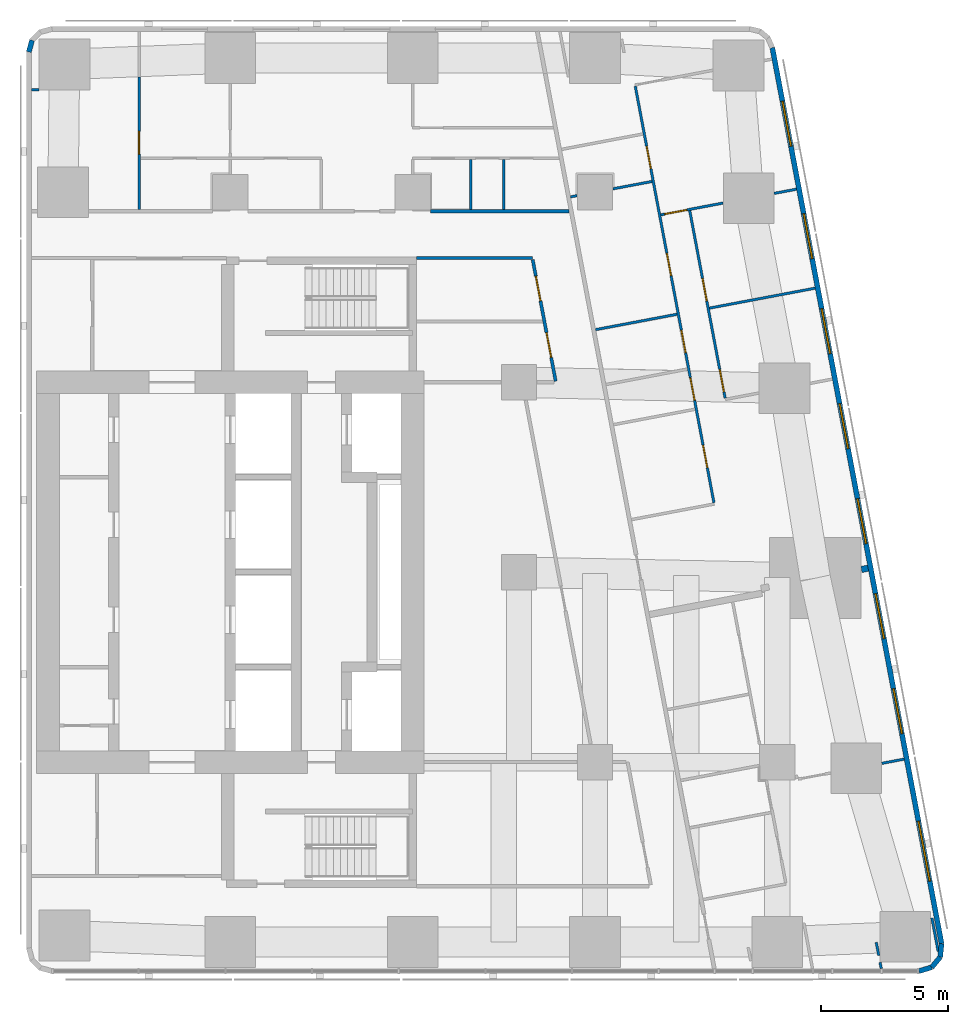
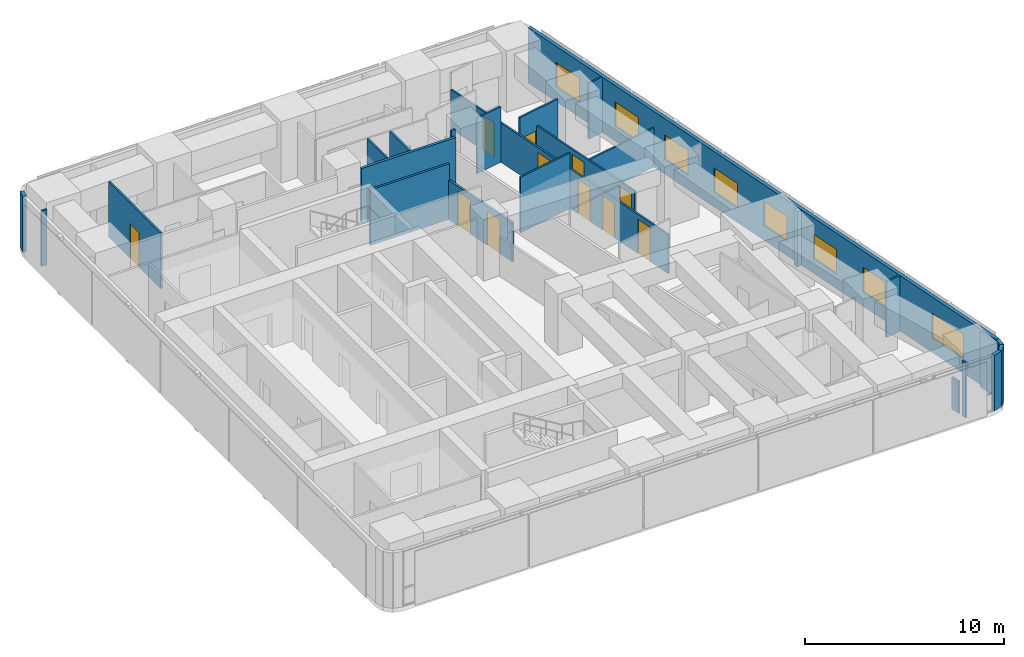
# One storey, part 7 of 10: 25 walls, 11 doors, 8 windows, 19 openings.
"""IFC4 building model written with IfcOpenShell, lengths in metres."""

from ifc_helpers import new_model, si_unit, direction, frame, frame_2d, origin, place, context, subcontext, project, spatial, rectangle, extrude, material, layer, layer_set, type_object, element, fill, save


model = new_model("IFC4")

# Units and contexts
model_context = context("Model", 3, precision=1e-05, world=origin(), true_north=direction((0.0, 1.0)))
body_context = subcontext(model_context, "Body", "Model", "MODEL_VIEW")
ifc_project = project(units=[si_unit("LENGTHUNIT", "METRE"), si_unit("AREAUNIT", "SQUARE_METRE"), si_unit("VOLUMEUNIT", "CUBIC_METRE"), si_unit("PLANEANGLEUNIT", "RADIAN"), si_unit("MASSUNIT", "GRAM", prefix="KILO")], contexts=[model_context])

# Site, building, storey
site_placement = place(None, origin())
site = spatial("IfcSite", under=ifc_project, at=site_placement, CompositionType="ELEMENT")
building_placement = place(site_placement, origin())
building = spatial("IfcBuilding", under=site, at=building_placement, Name="Sheger Commons Tower", CompositionType="ELEMENT")
storey_placement = place(building_placement, frame((0.0, 0.0, 292.85009765625)))
storey = spatial("IfcBuildingStorey", under=building, at=storey_placement, Name="L75", CompositionType="ELEMENT", Elevation=292.85009765625)

# Walls
ifc_material_1 = material(Name="Hollow concrete block masonry, skimmed both sides", Category="masonry")
ifc_layer_1 = layer(ifc_material_1, 0.14990234375)
ifc_layer_set_1 = layer_set([ifc_layer_1], Name="CORRIDOR WALL 150")
wall_type_1 = type_object("IfcWallType", Name="CORRIDOR WALL 150", PredefinedType="SOLIDWALL", material=ifc_layer_set_1)
wall_1_placement = place(storey_placement, frame((29.5009765625, 36.75, 0.0), z_axis=(0.0, 0.0, 1.0), x_axis=(1.0, 0.0, 0.0)))
element("IfcWall", 1, at=wall_1_placement, inside=storey, type_object=wall_type_1, Name="Corridor wall L75", PredefinedType="SOLIDWALL", context=body_context, shape_type="SweptSolid", body=[
    extrude(rectangle(XDim=5.470947265625, YDim=0.14990234375, at=frame_2d((2.7353515625, 0.0))), origin(), (0.0, 0.0, 1.0), 3.39990234375),
])
ifc_material_2 = material(Name="Dense concrete block masonry, plastered both sides (separating wall between flats)", Category="masonry")
ifc_layer_2 = layer(ifc_material_2, 0.25)
ifc_layer_set_2 = layer_set([ifc_layer_2], Name="DEMISING WALL 250")
wall_type_2 = type_object("IfcWallType", Name="DEMISING WALL 250", PredefinedType="SOLIDWALL", material=ifc_layer_set_2)
wall_2_placement = place(storey_placement, frame((46.781982421875, 22.656982421875, 0.0), z_axis=(0.0, 0.0, 1.0), x_axis=(-0.982104607121, -0.188336243648, 0.0)))
element("IfcWall", 2, at=wall_2_placement, inside=storey, type_object=wall_type_2, Name="Demising wall L75", PredefinedType="SOLIDWALL", context=body_context, shape_type="SweptSolid", body=[
    extrude(rectangle(XDim=0.265625, YDim=0.25, at=frame_2d((0.1328125, 0.0))), origin(), (0.0, 0.0, 1.0), 3.39990234375),
])
ifc_material_3 = material(Name="Rendered concrete block masonry, dark grey", Category="masonry")
ifc_layer_3 = layer(ifc_material_3, 0.199951171875)
ifc_layer_set_3 = layer_set([ifc_layer_3], Name="FACADE WALL 200")
wall_type_3 = type_object("IfcWallType", Name="FACADE WALL 200", PredefinedType="SOLIDWALL", material=ifc_layer_set_3)
wall_3_placement = place(storey_placement, frame((48.787109375, 6.75, 0.0), z_axis=(0.0, 0.0, 1.0), x_axis=(0.957282247819, 0.289155145225, 0.0)))
element("IfcWall", 3, at=wall_3_placement, inside=storey, type_object=wall_type_3, Name="Facade wall L75", PredefinedType="SOLIDWALL", context=body_context, shape_type="SweptSolid", body=[
    extrude(rectangle(XDim=0.53271484375, YDim=0.199951171875, at=frame_2d((0.266357421875, 0.0))), origin(), (0.0, 0.0, 1.0), 3.39990234375),
])
wall_4_placement = place(storey_placement, frame((49.297119140625, 6.904052734375, 0.0), z_axis=(0.0, 0.0, 1.0), x_axis=(0.639255849474, 0.768994121508, 0.0)))
element("IfcWall", 4, at=wall_4_placement, inside=storey, type_object=wall_type_3, Name="Facade wall L75", PredefinedType="SOLIDWALL", context=body_context, shape_type="SweptSolid", body=[
    extrude(rectangle(XDim=0.517578125, YDim=0.199951171875, at=frame_2d((0.2587890625, 0.0))), origin(), (0.0, 0.0, 1.0), 3.39990234375),
])
wall_5_placement = place(storey_placement, frame((49.6279296875, 7.302001953125, 0.0), z_axis=(0.0, 0.0, 1.0), x_axis=(0.105352390132, 0.994434952068, 0.0)))
element("IfcWall", 5, at=wall_5_placement, inside=storey, type_object=wall_type_3, Name="Facade wall L75", PredefinedType="SOLIDWALL", context=body_context, shape_type="SweptSolid", body=[
    extrude(rectangle(XDim=0.532958984375, YDim=0.199951171875, at=frame_2d((0.2666015625, 0.0))), origin(), (0.0, 0.0, 1.0), 3.39990234375),
])

# Wall, openings, windows
wall_6_placement = place(storey_placement, frame((49.68408203125, 7.83203125, 0.0), z_axis=(0.0, 0.0, 1.0), x_axis=(-0.185616669694, 0.982622232565, 0.0)))
wall_6 = element("IfcWall", 6, at=wall_6_placement, inside=storey, type_object=wall_type_3, Name="Facade wall L75", PredefinedType="SOLIDWALL", context=body_context, shape_type="SweptSolid", body=[
    extrude(rectangle(XDim=35.99951171875, YDim=0.199951171875, at=frame_2d((17.999755859375, 0.0))), origin(), (0.0, 0.0, 1.0), 3.39990234375),
])
opening_1_placement = place(wall_6_placement, frame((2.51806640625, 0.0, 0.89990234375)))
opening_1 = element("IfcOpeningElement", 7, at=opening_1_placement, cuts=wall_6, Name="Opening W1", PredefinedType="OPENING", context=body_context, shape_type="SweptSolid", body=[
    extrude(rectangle(XDim=2.39990234375, YDim=1.5, at=frame_2d((1.199951171875, 0.75))), frame((0.0, 0.10986328125, 0.0), z_axis=(0.0, -1.0, 0.0), x_axis=(1.0, 0.0, 0.0)), (0.0, 0.0, 1.0), 0.219970703125),
])
opening_2_placement = place(wall_6_placement, frame((8.444091796875, 0.0, 0.89990234375)))
opening_2 = element("IfcOpeningElement", 8, at=opening_2_placement, cuts=wall_6, Name="Opening W2", PredefinedType="OPENING", context=body_context, shape_type="SweptSolid", body=[
    extrude(rectangle(XDim=1.800048828125, YDim=1.5, at=frame_2d((0.89990234375, 0.75))), frame((0.0, 0.10986328125, 0.0), z_axis=(0.0, -1.0, 0.0), x_axis=(1.0, 0.0, 0.0)), (0.0, 0.0, 1.0), 0.219970703125),
])
opening_3_placement = place(wall_6_placement, frame((12.260986328125, 0.0, 0.89990234375)))
opening_3 = element("IfcOpeningElement", 9, at=opening_3_placement, cuts=wall_6, Name="Opening W2", PredefinedType="OPENING", context=body_context, shape_type="SweptSolid", body=[
    extrude(rectangle(XDim=1.800048828125, YDim=1.5, at=frame_2d((0.89990234375, 0.75))), frame((0.0, 0.10986328125, 0.0), z_axis=(0.0, -1.0, 0.0), x_axis=(1.0, 0.0, 0.0)), (0.0, 0.0, 1.0), 0.219970703125),
])
opening_4_placement = place(wall_6_placement, frame((16.077880859375, 0.0, 0.89990234375)))
opening_4 = element("IfcOpeningElement", 10, at=opening_4_placement, cuts=wall_6, Name="Opening W2", PredefinedType="OPENING", context=body_context, shape_type="SweptSolid", body=[
    extrude(rectangle(XDim=1.800048828125, YDim=1.5, at=frame_2d((0.89990234375, 0.75))), frame((0.0, 0.10986328125, 0.0), z_axis=(0.0, -1.0, 0.0), x_axis=(1.0, 0.0, 0.0)), (0.0, 0.0, 1.0), 0.219970703125),
])
opening_5_placement = place(wall_6_placement, frame((19.89404296875, 0.0, 0.89990234375)))
opening_5 = element("IfcOpeningElement", 11, at=opening_5_placement, cuts=wall_6, Name="Opening W2", PredefinedType="OPENING", context=body_context, shape_type="SweptSolid", body=[
    extrude(rectangle(XDim=1.800048828125, YDim=1.5, at=frame_2d((0.89990234375, 0.75))), frame((0.0, 0.10986328125, 0.0), z_axis=(0.0, -1.0, 0.0), x_axis=(1.0, 0.0, 0.0)), (0.0, 0.0, 1.0), 0.219970703125),
])
opening_6_placement = place(wall_6_placement, frame((23.7099609375, 0.0, 0.89990234375)))
opening_6 = element("IfcOpeningElement", 12, at=opening_6_placement, cuts=wall_6, Name="Opening W2", PredefinedType="OPENING", context=body_context, shape_type="SweptSolid", body=[
    extrude(rectangle(XDim=1.800048828125, YDim=1.5, at=frame_2d((0.89990234375, 0.75))), frame((0.0, 0.10986328125, 0.0), z_axis=(0.0, -1.0, 0.0), x_axis=(1.0, 0.0, 0.0)), (0.0, 0.0, 1.0), 0.219970703125),
])
opening_7_placement = place(wall_6_placement, frame((27.52587890625, 0.0, 0.89990234375)))
opening_7 = element("IfcOpeningElement", 13, at=opening_7_placement, cuts=wall_6, Name="Opening W2", PredefinedType="OPENING", context=body_context, shape_type="SweptSolid", body=[
    extrude(rectangle(XDim=1.800048828125, YDim=1.5, at=frame_2d((0.89990234375, 0.75))), frame((0.0, 0.10986328125, 0.0), z_axis=(0.0, -1.0, 0.0), x_axis=(1.0, 0.0, 0.0)), (0.0, 0.0, 1.0), 0.219970703125),
])
opening_8_placement = place(wall_6_placement, frame((32.0458984375, 0.0, 0.89990234375)))
opening_8 = element("IfcOpeningElement", 14, at=opening_8_placement, cuts=wall_6, Name="Opening W2", PredefinedType="OPENING", context=body_context, shape_type="SweptSolid", body=[
    extrude(rectangle(XDim=1.800048828125, YDim=1.5, at=frame_2d((0.89990234375, 0.75))), frame((0.0, 0.10986328125, 0.0), z_axis=(0.0, -1.0, 0.0), x_axis=(1.0, 0.0, 0.0)), (0.0, 0.0, 1.0), 0.219970703125),
])
ifc_material_4 = material(Name="Black aluminium frame, dark tinted double glazing", Category="aluminium")
window_type_1 = type_object("IfcWindowType", Name="WINDOW W1 2400x1500", PartitioningType="SINGLE_PANEL", PredefinedType="WINDOW", material=ifc_material_4)
window_1_placement = place(opening_1_placement, origin())
window_1 = element("IfcWindow", 15, at=window_1_placement, inside=storey, type_object=window_type_1, Name="Window W1 2400X1500", OverallHeight=1.5, OverallWidth=2.39990234375, PartitioningType="SINGLE_PANEL", PredefinedType="WINDOW", context=body_context, shape_type="SweptSolid", body=[
    extrude(rectangle(XDim=2.39990234375, YDim=1.5, at=frame_2d((1.199951171875, 0.75))), frame((0.0, 0.030029296875, 0.0), z_axis=(0.0, -1.0, 0.0), x_axis=(1.0, 0.0, 0.0)), (0.0, 0.0, 1.0), 0.06005859375),
])
fill(opening_1, window_1)
ifc_material_5 = material(Name="Black aluminium frame, dark tinted double glazing", Category="aluminium")
window_type_2 = type_object("IfcWindowType", Name="WINDOW W2 1800x1500", PartitioningType="SINGLE_PANEL", PredefinedType="WINDOW", material=ifc_material_5)
window_2_placement = place(opening_2_placement, origin())
window_2 = element("IfcWindow", 16, at=window_2_placement, inside=storey, type_object=window_type_2, Name="Window W2 1800X1500", OverallHeight=1.5, OverallWidth=1.800048828125, PartitioningType="SINGLE_PANEL", PredefinedType="WINDOW", context=body_context, shape_type="SweptSolid", body=[
    extrude(rectangle(XDim=1.800048828125, YDim=1.5, at=frame_2d((0.89990234375, 0.75))), frame((0.0, 0.030029296875, 0.0), z_axis=(0.0, -1.0, 0.0), x_axis=(1.0, 0.0, 0.0)), (0.0, 0.0, 1.0), 0.06005859375),
])
fill(opening_2, window_2)
window_3_placement = place(opening_3_placement, origin())
window_3 = element("IfcWindow", 17, at=window_3_placement, inside=storey, type_object=window_type_2, Name="Window W2 1800X1500", OverallHeight=1.5, OverallWidth=1.800048828125, PartitioningType="SINGLE_PANEL", PredefinedType="WINDOW", context=body_context, shape_type="SweptSolid", body=[
    extrude(rectangle(XDim=1.800048828125, YDim=1.5, at=frame_2d((0.89990234375, 0.75))), frame((0.0, 0.030029296875, 0.0), z_axis=(0.0, -1.0, 0.0), x_axis=(1.0, 0.0, 0.0)), (0.0, 0.0, 1.0), 0.06005859375),
])
fill(opening_3, window_3)
window_4_placement = place(opening_4_placement, origin())
window_4 = element("IfcWindow", 18, at=window_4_placement, inside=storey, type_object=window_type_2, Name="Window W2 1800X1500", OverallHeight=1.5, OverallWidth=1.800048828125, PartitioningType="SINGLE_PANEL", PredefinedType="WINDOW", context=body_context, shape_type="SweptSolid", body=[
    extrude(rectangle(XDim=1.800048828125, YDim=1.5, at=frame_2d((0.89990234375, 0.75))), frame((0.0, 0.030029296875, 0.0), z_axis=(0.0, -1.0, 0.0), x_axis=(1.0, 0.0, 0.0)), (0.0, 0.0, 1.0), 0.06005859375),
])
fill(opening_4, window_4)
window_5_placement = place(opening_5_placement, origin())
window_5 = element("IfcWindow", 19, at=window_5_placement, inside=storey, type_object=window_type_2, Name="Window W2 1800X1500", OverallHeight=1.5, OverallWidth=1.800048828125, PartitioningType="SINGLE_PANEL", PredefinedType="WINDOW", context=body_context, shape_type="SweptSolid", body=[
    extrude(rectangle(XDim=1.800048828125, YDim=1.5, at=frame_2d((0.89990234375, 0.75))), frame((0.0, 0.030029296875, 0.0), z_axis=(0.0, -1.0, 0.0), x_axis=(1.0, 0.0, 0.0)), (0.0, 0.0, 1.0), 0.06005859375),
])
fill(opening_5, window_5)
window_6_placement = place(opening_6_placement, origin())
window_6 = element("IfcWindow", 20, at=window_6_placement, inside=storey, type_object=window_type_2, Name="Window W2 1800X1500", OverallHeight=1.5, OverallWidth=1.800048828125, PartitioningType="SINGLE_PANEL", PredefinedType="WINDOW", context=body_context, shape_type="SweptSolid", body=[
    extrude(rectangle(XDim=1.800048828125, YDim=1.5, at=frame_2d((0.89990234375, 0.75))), frame((0.0, 0.030029296875, 0.0), z_axis=(0.0, -1.0, 0.0), x_axis=(1.0, 0.0, 0.0)), (0.0, 0.0, 1.0), 0.06005859375),
])
fill(opening_6, window_6)
window_7_placement = place(opening_7_placement, origin())
window_7 = element("IfcWindow", 21, at=window_7_placement, inside=storey, type_object=window_type_2, Name="Window W2 1800X1500", OverallHeight=1.5, OverallWidth=1.800048828125, PartitioningType="SINGLE_PANEL", PredefinedType="WINDOW", context=body_context, shape_type="SweptSolid", body=[
    extrude(rectangle(XDim=1.800048828125, YDim=1.5, at=frame_2d((0.89990234375, 0.75))), frame((0.0, 0.030029296875, 0.0), z_axis=(0.0, -1.0, 0.0), x_axis=(1.0, 0.0, 0.0)), (0.0, 0.0, 1.0), 0.06005859375),
])
fill(opening_7, window_7)
window_8_placement = place(opening_8_placement, origin())
window_8 = element("IfcWindow", 22, at=window_8_placement, inside=storey, type_object=window_type_2, Name="Window W2 1800X1500", OverallHeight=1.5, OverallWidth=1.800048828125, PartitioningType="SINGLE_PANEL", PredefinedType="WINDOW", context=body_context, shape_type="SweptSolid", body=[
    extrude(rectangle(XDim=1.800048828125, YDim=1.5, at=frame_2d((0.89990234375, 0.75))), frame((0.0, 0.030029296875, 0.0), z_axis=(0.0, -1.0, 0.0), x_axis=(1.0, 0.0, 0.0)), (0.0, 0.0, 1.0), 0.06005859375),
])
fill(opening_8, window_8)

# Walls
wall_7_placement = place(storey_placement, frame((13.77392578125, 43.498046875, 0.0), z_axis=(0.0, 0.0, 1.0), x_axis=(-0.259826731483, -0.965655254015, 0.0)))
element("IfcWall", 23, at=wall_7_placement, inside=storey, type_object=wall_type_3, Name="Facade wall L75", PredefinedType="SOLIDWALL", context=body_context, shape_type="SweptSolid", body=[
    extrude(rectangle(XDim=0.477294921875, YDim=0.199951171875, at=frame_2d((0.23876953125, 0.0))), origin(), (0.0, 0.0, 1.0), 3.39990234375),
])
ifc_material_6 = material(Name="Gypsum board on steel studs", Category="steel")
ifc_layer_4 = layer(ifc_material_6, 0.10009765625)
ifc_layer_set_4 = layer_set([ifc_layer_4], Name="PARTITION 100")
wall_type_4 = type_object("IfcWallType", Name="PARTITION 100", PredefinedType="PARTITIONING", material=ifc_layer_set_4)
wall_8_placement = place(storey_placement, frame((49.300048828125, 8.85107421875, 0.0), z_axis=(0.0, 0.0, 1.0), x_axis=(0.18581620423, -0.982584519645, 0.0)))
element("IfcWall", 24, at=wall_8_placement, inside=storey, type_object=wall_type_4, Name="Partition L75", PredefinedType="PARTITIONING", context=body_context, shape_type="SweptSolid", body=[
    extrude(rectangle(XDim=1.3505859375, YDim=0.10009765625, at=frame_2d((0.67529296875, 0.0))), origin(), (0.0, 0.0, 1.0), 3.39990234375),
])
wall_9_placement = place(storey_placement, frame((47.301025390625, 6.85009765625, 0.0), z_axis=(0.0, 0.0, 1.0), x_axis=(-0.187513903188, 0.982261948826, 0.0)))
element("IfcWall", 25, at=wall_9_placement, inside=storey, type_object=wall_type_4, Name="Partition L75", PredefinedType="PARTITIONING", context=body_context, shape_type="SweptSolid", body=[
    extrude(rectangle(XDim=0.251220703125, YDim=0.10009765625, at=frame_2d((0.12548828125, 0.0))), origin(), (0.0, 0.0, 1.0), 3.39990234375),
])
wall_10_placement = place(storey_placement, frame((47.202880859375, 7.368896484375, 0.0), z_axis=(0.0, 0.0, 1.0), x_axis=(-0.186456243114, 0.982463266185, 0.0)))
element("IfcWall", 26, at=wall_10_placement, inside=storey, type_object=wall_type_4, Name="Partition L75", PredefinedType="PARTITIONING", context=body_context, shape_type="SweptSolid", body=[
    extrude(rectangle(XDim=0.5302734375, YDim=0.10009765625, at=frame_2d((0.26513671875, 0.0))), origin(), (0.0, 0.0, 1.0), 1.949951171875),
])
wall_11_placement = place(storey_placement, frame((43.955078125, 37.6201171875, 0.0), z_axis=(0.0, 0.0, 1.0), x_axis=(-0.982708424405, -0.18515980288, 0.0)))
element("IfcWall", 27, at=wall_11_placement, inside=storey, type_object=wall_type_4, Name="Partition L75", PredefinedType="PARTITIONING", context=body_context, shape_type="SweptSolid", body=[
    extrude(rectangle(XDim=0.896728515625, YDim=0.10009765625, at=frame_2d((0.4482421875, 0.0))), origin(), (0.0, 0.0, 1.0), 3.39990234375),
])

# Wall, opening, door
wall_12_placement = place(storey_placement, frame((41.053955078125, 37.072021484375, 0.0), z_axis=(0.0, 0.0, 1.0), x_axis=(-0.982579896219, -0.185840650951, 0.0)))
wall_12 = element("IfcWall", 28, at=wall_12_placement, inside=storey, type_object=wall_type_4, Name="Partition L75", PredefinedType="PARTITIONING", context=body_context, shape_type="SweptSolid", body=[
    extrude(rectangle(XDim=2.497314453125, YDim=0.10009765625, at=frame_2d((1.24853515625, 0.0))), origin(), (0.0, 0.0, 1.0), 3.39990234375),
])
opening_9_placement = place(wall_12_placement, frame((1.447021484375, 0.0, 0.0)))
opening_9 = element("IfcOpeningElement", 29, at=opening_9_placement, cuts=wall_12, Name="Opening D2", PredefinedType="OPENING", context=body_context, shape_type="SweptSolid", body=[
    extrude(rectangle(XDim=0.89990234375, YDim=2.10009765625, at=frame_2d((0.449951171875, 1.050048828125))), frame((0.0, 0.06005859375, 0.0), z_axis=(0.0, -1.0, 0.0), x_axis=(1.0, 0.0, 0.0)), (0.0, 0.0, 1.0), 0.1201171875),
])
ifc_material_7 = material(Name="Timber door set", Category="wood")
door_type_1 = type_object("IfcDoorType", Name="INTERNAL DOOR 900x2100", OperationType="NOTDEFINED", PredefinedType="DOOR", material=ifc_material_7)
door_1_placement = place(opening_9_placement, origin())
door_1 = element("IfcDoor", 30, at=door_1_placement, inside=storey, type_object=door_type_1, Name="Main bedroom door", OperationType="SINGLE_SWING_LEFT", OverallHeight=2.10009765625, OverallWidth=0.89990234375, PredefinedType="DOOR", context=body_context, shape_type="SweptSolid", body=[
    extrude(rectangle(XDim=0.89990234375, YDim=2.10009765625, at=frame_2d((0.449951171875, 1.050048828125))), frame((0.0, 0.02490234375, 0.0), z_axis=(0.0, -1.0, 0.0), x_axis=(1.0, 0.0, 0.0)), (0.0, 0.0, 1.0), 0.050048828125),
])
fill(opening_9, door_1)

# Walls
wall_13_placement = place(storey_placement, frame((44.693115234375, 33.712890625, 0.0), z_axis=(0.0, 0.0, 1.0), x_axis=(-0.982623519589, -0.185609856287, 0.0)))
element("IfcWall", 31, at=wall_13_placement, inside=storey, type_object=wall_type_4, Name="Partition L75", PredefinedType="PARTITIONING", context=body_context, shape_type="SweptSolid", body=[
    extrude(rectangle(XDim=4.249755859375, YDim=0.10009765625, at=frame_2d((2.125, 0.0))), origin(), (0.0, 0.0, 1.0), 2.39990234375),
])
wall_14_placement = place(storey_placement, frame((38.25, 37.925048828125, 0.0), z_axis=(0.0, 0.0, 1.0), x_axis=(-0.982610209589, -0.185680305934, 0.0)))
element("IfcWall", 32, at=wall_14_placement, inside=storey, type_object=wall_type_4, Name="Partition L75", PredefinedType="PARTITIONING", context=body_context, shape_type="SweptSolid", body=[
    extrude(rectangle(XDim=1.5673828125, YDim=0.10009765625, at=frame_2d((0.78369140625, 0.0))), origin(), (0.0, 0.0, 1.0), 3.39990234375),
])
wall_15_placement = place(storey_placement, frame((35.2900390625, 37.365966796875, 0.0), z_axis=(0.0, 0.0, 1.0), x_axis=(-0.982395465615, -0.18681313963, 0.0)))
element("IfcWall", 33, at=wall_15_placement, inside=storey, type_object=wall_type_4, Name="Partition L75", PredefinedType="PARTITIONING", context=body_context, shape_type="SweptSolid", body=[
    extrude(rectangle(XDim=0.2626953125, YDim=0.10009765625, at=frame_2d((0.13134765625, 0.0))), origin(), (0.0, 0.0, 1.0), 3.39990234375),
])
wall_16_placement = place(storey_placement, frame((39.239990234375, 32.68310546875, 0.0), z_axis=(0.0, 0.0, 1.0), x_axis=(-0.982607026909, -0.185697147715, 0.0)))
element("IfcWall", 34, at=wall_16_placement, inside=storey, type_object=wall_type_4, Name="Partition L75", PredefinedType="PARTITIONING", context=body_context, shape_type="SweptSolid", body=[
    extrude(rectangle(XDim=3.27490234375, YDim=0.10009765625, at=frame_2d((1.637451171875, 0.0))), origin(), (0.0, 0.0, 1.0), 3.39990234375),
])

# Wall, openings, doors
wall_17_placement = place(storey_placement, frame((37.591064453125, 41.68505859375, 0.0), z_axis=(0.0, 0.0, 1.0), x_axis=(0.185541820726, -0.982636368532, 0.0)))
wall_17 = element("IfcWall", 35, at=wall_17_placement, inside=storey, type_object=wall_type_4, Name="Partition L75", PredefinedType="PARTITIONING", context=body_context, shape_type="SweptSolid", body=[
    extrude(rectangle(XDim=16.734619140625, YDim=0.10009765625, at=frame_2d((8.3671875, 0.0))), origin(), (0.0, 0.0, 1.0), 2.39990234375),
])
opening_10_placement = place(wall_17_placement, frame((2.4130859375, 0.0, 0.0)))
opening_10 = element("IfcOpeningElement", 36, at=opening_10_placement, cuts=wall_17, Name="Opening D2", PredefinedType="OPENING", context=body_context, shape_type="SweptSolid", body=[
    extrude(rectangle(XDim=0.89990234375, YDim=2.10009765625, at=frame_2d((0.449951171875, 1.050048828125))), frame((0.0, 0.06005859375, 0.0), z_axis=(0.0, -1.0, 0.0), x_axis=(1.0, 0.0, 0.0)), (0.0, 0.0, 1.0), 0.1201171875),
])
opening_11_placement = place(wall_17_placement, frame((6.712890625, 0.0, 0.0)))
opening_11 = element("IfcOpeningElement", 37, at=opening_11_placement, cuts=wall_17, Name="Opening D2", PredefinedType="OPENING", context=body_context, shape_type="SweptSolid", body=[
    extrude(rectangle(XDim=0.89990234375, YDim=2.10009765625, at=frame_2d((0.449951171875, 1.050048828125))), frame((0.0, 0.06005859375, 0.0), z_axis=(0.0, -1.0, 0.0), x_axis=(1.0, 0.0, 0.0)), (0.0, 0.0, 1.0), 0.1201171875),
])
opening_12_placement = place(wall_17_placement, frame((9.804931640625, 0.0, 0.0)))
opening_12 = element("IfcOpeningElement", 38, at=opening_12_placement, cuts=wall_17, Name="Opening D2", PredefinedType="OPENING", context=body_context, shape_type="SweptSolid", body=[
    extrude(rectangle(XDim=0.89990234375, YDim=2.10009765625, at=frame_2d((0.449951171875, 1.050048828125))), frame((0.0, 0.06005859375, 0.0), z_axis=(0.0, -1.0, 0.0), x_axis=(1.0, 0.0, 0.0)), (0.0, 0.0, 1.0), 0.1201171875),
])
opening_13_placement = place(wall_17_placement, frame((11.712890625, 0.0, 0.0)))
opening_13 = element("IfcOpeningElement", 39, at=opening_13_placement, cuts=wall_17, Name="Opening D2", PredefinedType="OPENING", context=body_context, shape_type="SweptSolid", body=[
    extrude(rectangle(XDim=0.89990234375, YDim=2.10009765625, at=frame_2d((0.449951171875, 1.050048828125))), frame((0.0, 0.06005859375, 0.0), z_axis=(0.0, -1.0, 0.0), x_axis=(1.0, 0.0, 0.0)), (0.0, 0.0, 1.0), 0.1201171875),
])
opening_14_placement = place(wall_17_placement, frame((14.426025390625, 0.0, 0.0)))
opening_14 = element("IfcOpeningElement", 40, at=opening_14_placement, cuts=wall_17, Name="Opening D2", PredefinedType="OPENING", context=body_context, shape_type="SweptSolid", body=[
    extrude(rectangle(XDim=0.89990234375, YDim=2.10009765625, at=frame_2d((0.449951171875, 1.050048828125))), frame((0.0, 0.06005859375, 0.0), z_axis=(0.0, -1.0, 0.0), x_axis=(1.0, 0.0, 0.0)), (0.0, 0.0, 1.0), 0.1201171875),
])
door_2_placement = place(opening_10_placement, origin())
door_2 = element("IfcDoor", 41, at=door_2_placement, inside=storey, type_object=door_type_1, Name="En-suite door", OperationType="SINGLE_SWING_LEFT", OverallHeight=2.10009765625, OverallWidth=0.89990234375, PredefinedType="DOOR", context=body_context, shape_type="SweptSolid", body=[
    extrude(rectangle(XDim=0.89990234375, YDim=2.10009765625, at=frame_2d((0.449951171875, 1.050048828125))), frame((0.0, 0.02490234375, 0.0), z_axis=(0.0, -1.0, 0.0), x_axis=(1.0, 0.0, 0.0)), (0.0, 0.0, 1.0), 0.050048828125),
])
fill(opening_10, door_2)
door_3_placement = place(opening_11_placement, origin())
door_3 = element("IfcDoor", 42, at=door_3_placement, inside=storey, type_object=door_type_1, Name="Study door", OperationType="SINGLE_SWING_LEFT", OverallHeight=2.10009765625, OverallWidth=0.89990234375, PredefinedType="DOOR", context=body_context, shape_type="SweptSolid", body=[
    extrude(rectangle(XDim=0.89990234375, YDim=2.10009765625, at=frame_2d((0.449951171875, 1.050048828125))), frame((0.0, 0.02490234375, 0.0), z_axis=(0.0, -1.0, 0.0), x_axis=(1.0, 0.0, 0.0)), (0.0, 0.0, 1.0), 0.050048828125),
])
fill(opening_11, door_3)
door_4_placement = place(opening_12_placement, origin())
door_4 = element("IfcDoor", 43, at=door_4_placement, inside=storey, type_object=door_type_1, Name="Bathroom door", OperationType="SINGLE_SWING_LEFT", OverallHeight=2.10009765625, OverallWidth=0.89990234375, PredefinedType="DOOR", context=body_context, shape_type="SweptSolid", body=[
    extrude(rectangle(XDim=0.89990234375, YDim=2.10009765625, at=frame_2d((0.449951171875, 1.050048828125))), frame((0.0, 0.02490234375, 0.0), z_axis=(0.0, -1.0, 0.0), x_axis=(1.0, 0.0, 0.0)), (0.0, 0.0, 1.0), 0.050048828125),
])
fill(opening_12, door_4)
door_5_placement = place(opening_13_placement, origin())
door_5 = element("IfcDoor", 44, at=door_5_placement, inside=storey, type_object=door_type_1, Name="Store door", OperationType="SINGLE_SWING_RIGHT", OverallHeight=2.10009765625, OverallWidth=0.89990234375, PredefinedType="DOOR", context=body_context, shape_type="SweptSolid", body=[
    extrude(rectangle(XDim=0.89990234375, YDim=2.10009765625, at=frame_2d((0.449951171875, 1.050048828125))), frame((0.0, 0.02490234375, 0.0), z_axis=(0.0, -1.0, 0.0), x_axis=(1.0, 0.0, 0.0)), (0.0, 0.0, 1.0), 0.050048828125),
])
fill(opening_13, door_5)
door_6_placement = place(opening_14_placement, origin())
door_6 = element("IfcDoor", 45, at=door_6_placement, inside=storey, type_object=door_type_1, Name="Kitchen door", OperationType="SINGLE_SWING_LEFT", OverallHeight=2.10009765625, OverallWidth=0.89990234375, PredefinedType="DOOR", context=body_context, shape_type="SweptSolid", body=[
    extrude(rectangle(XDim=0.89990234375, YDim=2.10009765625, at=frame_2d((0.449951171875, 1.050048828125))), frame((0.0, 0.02490234375, 0.0), z_axis=(0.0, -1.0, 0.0), x_axis=(1.0, 0.0, 0.0)), (0.0, 0.0, 1.0), 0.050048828125),
])
fill(opening_14, door_6)

wall_18_placement = place(storey_placement, frame((39.739990234375, 36.77294921875, 0.0), z_axis=(0.0, 0.0, 1.0), x_axis=(0.185583825641, -0.982628436216, 0.0)))
wall_18 = element("IfcWall", 46, at=wall_18_placement, inside=storey, type_object=wall_type_4, Name="Partition L75", PredefinedType="PARTITIONING", context=body_context, shape_type="SweptSolid", body=[
    extrude(rectangle(XDim=7.53271484375, YDim=0.10009765625, at=frame_2d((3.766357421875, 0.0))), origin(), (0.0, 0.0, 1.0), 2.39990234375),
])
opening_15_placement = place(wall_18_placement, frame((2.72607421875, 0.0, 0.0)))
opening_15 = element("IfcOpeningElement", 47, at=opening_15_placement, cuts=wall_18, Name="Opening D2", PredefinedType="OPENING", context=body_context, shape_type="SweptSolid", body=[
    extrude(rectangle(XDim=0.89990234375, YDim=2.10009765625, at=frame_2d((0.449951171875, 1.050048828125))), frame((0.0, 0.06005859375, 0.0), z_axis=(0.0, -1.0, 0.0), x_axis=(1.0, 0.0, 0.0)), (0.0, 0.0, 1.0), 0.1201171875),
])
opening_16_placement = place(wall_18_placement, frame((6.383056640625, 0.0, 0.0)))
opening_16 = element("IfcOpeningElement", 48, at=opening_16_placement, cuts=wall_18, Name="Opening D2", PredefinedType="OPENING", context=body_context, shape_type="SweptSolid", body=[
    extrude(rectangle(XDim=0.89990234375, YDim=2.10009765625, at=frame_2d((0.449951171875, 1.050048828125))), frame((0.0, 0.06005859375, 0.0), z_axis=(0.0, -1.0, 0.0), x_axis=(1.0, 0.0, 0.0)), (0.0, 0.0, 1.0), 0.1201171875),
])
door_7_placement = place(opening_15_placement, origin())
door_7 = element("IfcDoor", 49, at=door_7_placement, inside=storey, type_object=door_type_1, Name="Bedroom 2 door", OperationType="SINGLE_SWING_RIGHT", OverallHeight=2.10009765625, OverallWidth=0.89990234375, PredefinedType="DOOR", context=body_context, shape_type="SweptSolid", body=[
    extrude(rectangle(XDim=0.89990234375, YDim=2.10009765625, at=frame_2d((0.449951171875, 1.050048828125))), frame((0.0, 0.02490234375, 0.0), z_axis=(0.0, -1.0, 0.0), x_axis=(1.0, 0.0, 0.0)), (0.0, 0.0, 1.0), 0.050048828125),
])
fill(opening_15, door_7)
door_8_placement = place(opening_16_placement, origin())
door_8 = element("IfcDoor", 50, at=door_8_placement, inside=storey, type_object=door_type_1, Name="Bedroom 3 door", OperationType="SINGLE_SWING_RIGHT", OverallHeight=2.10009765625, OverallWidth=0.89990234375, PredefinedType="DOOR", context=body_context, shape_type="SweptSolid", body=[
    extrude(rectangle(XDim=0.89990234375, YDim=2.10009765625, at=frame_2d((0.449951171875, 1.050048828125))), frame((0.0, 0.02490234375, 0.0), z_axis=(0.0, -1.0, 0.0), x_axis=(1.0, 0.0, 0.0)), (0.0, 0.0, 1.0), 0.050048828125),
])
fill(opening_16, door_8)

# Walls
wall_19_placement = place(storey_placement, frame((48.2060546875, 15.1201171875, 0.0), z_axis=(0.0, 0.0, 1.0), x_axis=(-0.982497680814, -0.186274816318, 0.0)))
element("IfcWall", 51, at=wall_19_placement, inside=storey, type_object=wall_type_4, Name="Partition L75", PredefinedType="PARTITIONING", context=body_context, shape_type="SweptSolid", body=[
    extrude(rectangle(XDim=0.897705078125, YDim=0.10009765625, at=frame_2d((0.44873046875, 0.0))), origin(), (0.0, 0.0, 1.0), 3.39990234375),
])
wall_20_placement = place(storey_placement, frame((14.053955078125, 41.5458984375, 0.0), z_axis=(0.0, 0.0, 1.0), x_axis=(-1.0, 0.0, 0.0)))
element("IfcWall", 52, at=wall_20_placement, inside=storey, type_object=wall_type_4, Name="Partition L75", PredefinedType="PARTITIONING", context=body_context, shape_type="SweptSolid", body=[
    extrude(rectangle(XDim=0.303955078125, YDim=0.10009765625, at=frame_2d((0.15185546875, 0.0))), origin(), (0.0, 0.0, 1.0), 3.39990234375),
])

# Wall, opening, door
wall_21_placement = place(storey_placement, frame((18.0, 36.824951171875, 0.0), z_axis=(0.0, 0.0, 1.0), x_axis=(0.0, 1.0, 0.0)))
wall_21 = element("IfcWall", 53, at=wall_21_placement, inside=storey, type_object=wall_type_4, Name="Partition L75", PredefinedType="PARTITIONING", context=body_context, shape_type="SweptSolid", body=[
    extrude(rectangle(XDim=5.233154296875, YDim=0.10009765625, at=frame_2d((2.61669921875, 0.0))), origin(), (0.0, 0.0, 1.0), 3.39990234375),
])
opening_17_placement = place(wall_21_placement, frame((2.175048828125, 0.0, 0.0)))
opening_17 = element("IfcOpeningElement", 54, at=opening_17_placement, cuts=wall_21, Name="Opening D2", PredefinedType="OPENING", context=body_context, shape_type="SweptSolid", body=[
    extrude(rectangle(XDim=0.89990234375, YDim=2.10009765625, at=frame_2d((0.449951171875, 1.050048828125))), frame((0.0, 0.06005859375, 0.0), z_axis=(0.0, -1.0, 0.0), x_axis=(1.0, 0.0, 0.0)), (0.0, 0.0, 1.0), 0.1201171875),
])
door_9_placement = place(opening_17_placement, origin())
door_9 = element("IfcDoor", 55, at=door_9_placement, inside=storey, type_object=door_type_1, Name="Dressing room door", OperationType="SINGLE_SWING_RIGHT", OverallHeight=2.10009765625, OverallWidth=0.89990234375, PredefinedType="DOOR", context=body_context, shape_type="SweptSolid", body=[
    extrude(rectangle(XDim=0.89990234375, YDim=2.10009765625, at=frame_2d((0.449951171875, 1.050048828125))), frame((0.0, 0.02490234375, 0.0), z_axis=(0.0, -1.0, 0.0), x_axis=(1.0, 0.0, 0.0)), (0.0, 0.0, 1.0), 0.050048828125),
])
fill(opening_17, door_9)

# Walls
for number, where, z_axis, x_axis, name in (
    (56, (32.39990234375, 36.824951171875, 0.0), (0.0, 0.0, 1.0), (0.0, 1.0, 0.0), "Partition L75"),
    (57, (31.10009765625, 36.824951171875, 0.0), (0.0, 0.0, 1.0), (0.0, 1.0, 0.0), "Partition L75"),
):
    element("IfcWall", number, at=place(storey_placement, frame(where, z_axis=z_axis, x_axis=x_axis)), inside=storey, type_object=wall_type_4, Name=name, PredefinedType="PARTITIONING", context=body_context, shape_type="SweptSolid", body=[
        extrude(rectangle(XDim=1.97509765625, YDim=0.10009765625, at=frame_2d((0.987548828125, 0.0))), origin(), (0.0, 0.0, 1.0), 3.39990234375),
    ])
ifc_material_8 = material(Name="Gypsum board on steel studs, two layers each side, fire rated", Category="steel")
ifc_layer_5 = layer(ifc_material_8, 0.125)
ifc_layer_set_5 = layer_set([ifc_layer_5], Name="SERVICE WALL 125")
wall_type_5 = type_object("IfcWallType", Name="SERVICE WALL 125", PredefinedType="PARTITIONING", material=ifc_layer_set_5)
wall_22_placement = place(storey_placement, frame((28.949951171875, 34.89990234375, 0.0), z_axis=(0.0, 0.0, 1.0), x_axis=(1.0, 0.0, 0.0)))
element("IfcWall", 58, at=wall_22_placement, inside=storey, type_object=wall_type_5, Name="Service room wall L75", PredefinedType="PARTITIONING", context=body_context, shape_type="SweptSolid", body=[
    extrude(rectangle(XDim=4.588134765625, YDim=0.125, at=frame_2d((2.2939453125, 0.0))), origin(), (0.0, 0.0, 1.0), 3.39990234375),
])

# Wall, openings, doors
wall_23_placement = place(storey_placement, frame((34.447998046875, 30.0400390625, 0.0), z_axis=(0.0, 0.0, 1.0), x_axis=(-0.185749459238, 0.982597139418, 0.0)))
wall_23 = element("IfcWall", 59, at=wall_23_placement, inside=storey, type_object=wall_type_5, Name="Service room wall L75", PredefinedType="PARTITIONING", context=body_context, shape_type="SweptSolid", body=[
    extrude(rectangle(XDim=4.8828125, YDim=0.125, at=frame_2d((2.44140625, 0.0))), origin(), (0.0, 0.0, 1.0), 2.39990234375),
])
opening_18_placement = place(wall_23_placement, frame((0.949951171875, 0.0, 0.0)))
opening_18 = element("IfcOpeningElement", 60, at=opening_18_placement, cuts=wall_23, Name="Opening D4", PredefinedType="OPENING", context=body_context, shape_type="SweptSolid", body=[
    extrude(rectangle(XDim=1.0, YDim=2.10009765625, at=frame_2d((0.5, 1.050048828125))), frame((0.0, 0.072509765625, 0.0), z_axis=(0.0, -1.0, 0.0), x_axis=(1.0, 0.0, 0.0)), (0.0, 0.0, 1.0), 0.14501953125),
])
opening_19_placement = place(wall_23_placement, frame((3.22509765625, 0.0, 0.0)))
opening_19 = element("IfcOpeningElement", 61, at=opening_19_placement, cuts=wall_23, Name="Opening D4", PredefinedType="OPENING", context=body_context, shape_type="SweptSolid", body=[
    extrude(rectangle(XDim=1.0, YDim=2.10009765625, at=frame_2d((0.5, 1.050048828125))), frame((0.0, 0.072509765625, 0.0), z_axis=(0.0, -1.0, 0.0), x_axis=(1.0, 0.0, 0.0)), (0.0, 0.0, 1.0), 0.14501953125),
])
ifc_material_9 = material(Name="Steel door set, fire rated", Category="steel")
door_type_2 = type_object("IfcDoorType", Name="SERVICE DOOR 1000x2100", OperationType="NOTDEFINED", PredefinedType="DOOR", material=ifc_material_9)
door_10_placement = place(opening_18_placement, origin())
door_10 = element("IfcDoor", 62, at=door_10_placement, inside=storey, type_object=door_type_2, Name="Linen store door", OperationType="SINGLE_SWING_RIGHT", OverallHeight=2.10009765625, OverallWidth=1.0, PredefinedType="DOOR", context=body_context, shape_type="SweptSolid", body=[
    extrude(rectangle(XDim=1.0, YDim=2.10009765625, at=frame_2d((0.5, 1.050048828125))), frame((0.0, 0.02490234375, 0.0), z_axis=(0.0, -1.0, 0.0), x_axis=(1.0, 0.0, 0.0)), (0.0, 0.0, 1.0), 0.050048828125),
])
fill(opening_18, door_10)
door_11_placement = place(opening_19_placement, origin())
door_11 = element("IfcDoor", 63, at=door_11_placement, inside=storey, type_object=door_type_2, Name="Cleaner's store door", OperationType="SINGLE_SWING_RIGHT", OverallHeight=2.10009765625, OverallWidth=1.0, PredefinedType="DOOR", context=body_context, shape_type="SweptSolid", body=[
    extrude(rectangle(XDim=1.0, YDim=2.10009765625, at=frame_2d((0.5, 1.050048828125))), frame((0.0, 0.02490234375, 0.0), z_axis=(0.0, -1.0, 0.0), x_axis=(1.0, 0.0, 0.0)), (0.0, 0.0, 1.0), 0.050048828125),
])
fill(opening_19, door_11)

save(model, "model.ifc")
